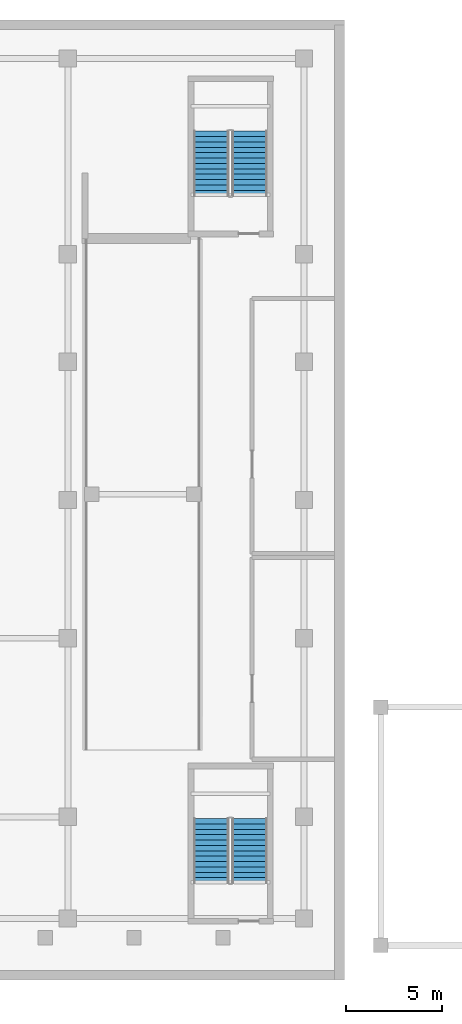
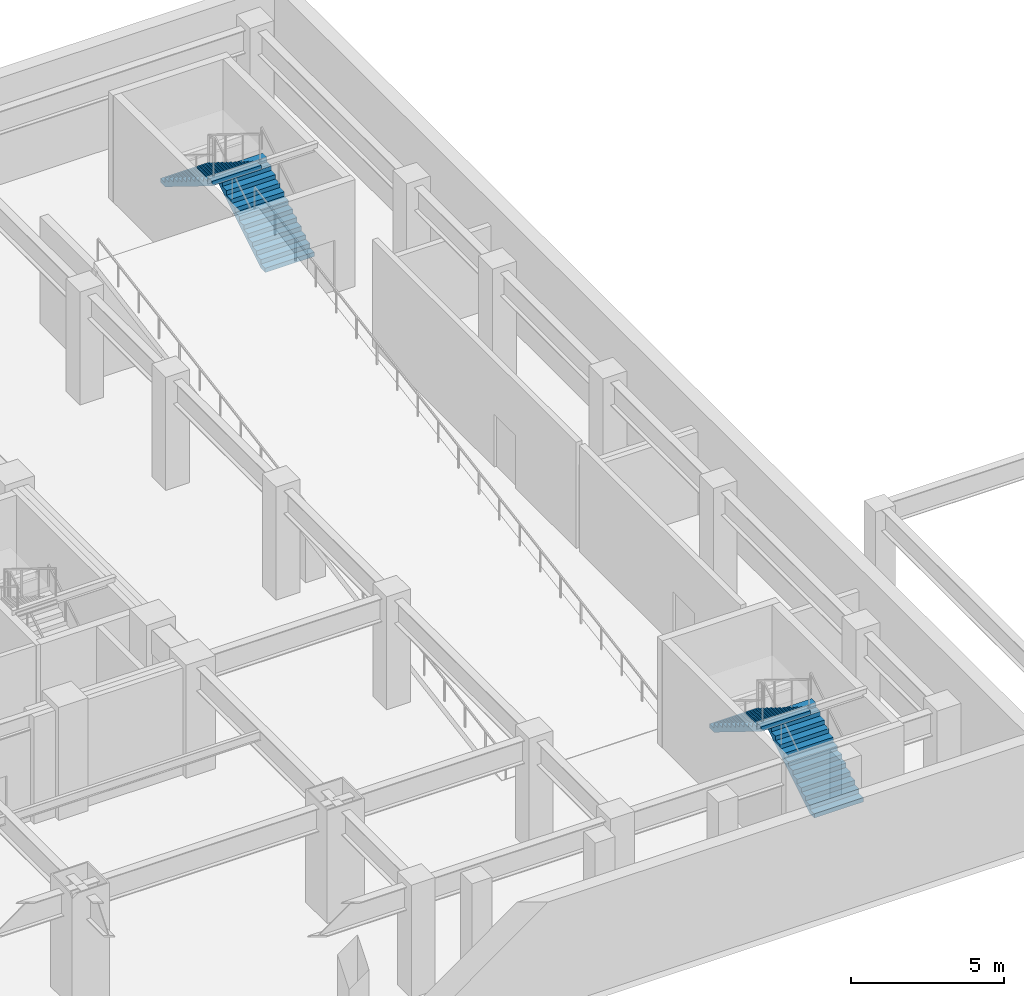
# One storey, part 6 of 12: 4 stair flights, 2 elements without a shape of their own.
"""IFC4 building model written with IfcOpenShell, lengths in metres."""

from ifc_helpers import new_model, si_unit, direction, frame, origin, place, context, subcontext, project, spatial, polyline, outline, extrude, material, type_object, element, aggregate, save


model = new_model("IFC4")

# Units and contexts
model_context = context("Model", 3, precision=1e-05, world=origin(), true_north=direction((0.0, 1.0)))
body_context = subcontext(model_context, "Body", "Model", "MODEL_VIEW")
ifc_project = project(units=[si_unit("LENGTHUNIT", "METRE"), si_unit("AREAUNIT", "SQUARE_METRE"), si_unit("VOLUMEUNIT", "CUBIC_METRE"), si_unit("PLANEANGLEUNIT", "RADIAN"), si_unit("MASSUNIT", "GRAM", prefix="KILO")], contexts=[model_context])

# Site, building, storey
site_placement = place(None, origin())
site = spatial("IfcSite", under=ifc_project, at=site_placement, CompositionType="ELEMENT")
building_placement = place(site_placement, origin())
building = spatial("IfcBuilding", under=site, at=building_placement, Name="Vantalir Tower", CompositionType="ELEMENT")
storey_placement = place(building_placement, frame((0.0, 0.0, -4.5)))
storey = spatial("IfcBuildingStorey", under=building, at=storey_placement, Name="B01", CompositionType="ELEMENT", Elevation=-4.5)

# Stair, stair flights
ifc_material = material(Name="Concrete C40/50", Category="concrete")
stair_type = type_object("IfcStairType", Name="STR-POD-1550", PredefinedType="HALF_TURN_STAIR", material=ifc_material)
stair_1_placement = place(storey_placement, origin())
stair_1 = element("IfcStair", 1, at=stair_1_placement, inside=storey, type_object=stair_type, Name="B01 Podium Exit Stair 2", PredefinedType="HALF_TURN_STAIR")
stair_flight_type = type_object("IfcStairFlightType", Name="FLT-POD-1550", PredefinedType="STRAIGHT", material=ifc_material)
stair_flight_1_placement = place(storey_placement, frame((58.074951171875, 40.85009765625, 0.0), z_axis=(0.0, 0.0, 1.0), x_axis=(0.0, 1.0, 0.0)))
stair_flight_1 = element("IfcStairFlight", 2, at=stair_flight_1_placement, type_object=stair_flight_type, Name="PST2 flight 1", NumberOfRisers=13, NumberOfTreads=12, PredefinedType="STRAIGHT", RiserHeight=0.173076923, TreadLength=0.28, context=body_context, shape_type="SweptSolid", body=[
    extrude(outline(polyline([(0.0, 0.0), (0.0, 0.173095703125), (0.280029296875, 0.173095703125), (0.280029296875, 0.34619140625), (0.56005859375, 0.34619140625), (0.56005859375, 0.519287109375), (0.840087890625, 0.519287109375), (0.840087890625, 0.6923828125), (1.1201171875, 0.6923828125), (1.1201171875, 0.865478515625), (1.39990234375, 0.865478515625), (1.39990234375, 1.03857421875), (1.679931640625, 1.03857421875), (1.679931640625, 1.21142578125), (1.9599609375, 1.21142578125), (1.9599609375, 1.384521484375), (2.239990234375, 1.384521484375), (2.239990234375, 1.5576171875), (2.52001953125, 1.5576171875), (2.52001953125, 1.730712890625), (2.800048828125, 1.730712890625), (2.800048828125, 1.90380859375), (3.080078125, 1.90380859375), (3.080078125, 2.076904296875), (3.360107421875, 2.076904296875), (3.360107421875, 2.25), (3.360107421875, 1.900634765625), (0.28515625, 0.0), (0.0, 0.0)])), frame((0.0, 0.925048828125, 0.0), z_axis=(0.0, -1.0, 0.0), x_axis=(1.0, 0.0, 0.0)), (0.0, 0.0, 1.0), 1.85009765625),
])
stair_flight_2_placement = place(storey_placement, frame((56.074951171875, 44.2099609375, 2.25), z_axis=(0.0, 0.0, 1.0), x_axis=(0.0, -1.0, 0.0)))
stair_flight_2 = element("IfcStairFlight", 3, at=stair_flight_2_placement, type_object=stair_flight_type, Name="PST2 flight 2", NumberOfRisers=13, NumberOfTreads=12, PredefinedType="STRAIGHT", RiserHeight=0.173076923, TreadLength=0.28, context=body_context, shape_type="SweptSolid", body=[
    extrude(outline(polyline([(0.0, 0.0), (0.0, 0.173095703125), (0.280029296875, 0.173095703125), (0.280029296875, 0.34619140625), (0.56005859375, 0.34619140625), (0.56005859375, 0.519287109375), (0.840087890625, 0.519287109375), (0.840087890625, 0.6923828125), (1.1201171875, 0.6923828125), (1.1201171875, 0.865478515625), (1.39990234375, 0.865478515625), (1.39990234375, 1.03857421875), (1.679931640625, 1.03857421875), (1.679931640625, 1.21142578125), (1.9599609375, 1.21142578125), (1.9599609375, 1.384521484375), (2.239990234375, 1.384521484375), (2.239990234375, 1.5576171875), (2.52001953125, 1.5576171875), (2.52001953125, 1.730712890625), (2.800048828125, 1.730712890625), (2.800048828125, 1.90380859375), (3.080078125, 1.90380859375), (3.080078125, 2.076904296875), (3.360107421875, 2.076904296875), (3.360107421875, 2.25), (3.360107421875, 1.900634765625), (0.28515625, 0.0), (0.0, 0.0)])), frame((0.0, 0.925048828125, 0.0), z_axis=(0.0, -1.0, 0.0), x_axis=(1.0, 0.0, 0.0)), (0.0, 0.0, 1.0), 1.85009765625),
])
aggregate(stair_1, [stair_flight_1, stair_flight_2])

stair_2_placement = place(storey_placement, origin())
stair_2 = element("IfcStair", 4, at=stair_2_placement, inside=storey, type_object=stair_type, Name="B01 Podium Exit Stair 4", PredefinedType="HALF_TURN_STAIR")
stair_flight_3_placement = place(storey_placement, frame((58.074951171875, 5.050048828125, 0.0), z_axis=(0.0, 0.0, 1.0), x_axis=(0.0, 1.0, 0.0)))
stair_flight_3 = element("IfcStairFlight", 5, at=stair_flight_3_placement, type_object=stair_flight_type, Name="PST4 flight 1", NumberOfRisers=13, NumberOfTreads=12, PredefinedType="STRAIGHT", RiserHeight=0.173076923, TreadLength=0.28, context=body_context, shape_type="SweptSolid", body=[
    extrude(outline(polyline([(0.0, 0.0), (0.0, 0.173095703125), (0.280029296875, 0.173095703125), (0.280029296875, 0.34619140625), (0.56005859375, 0.34619140625), (0.56005859375, 0.519287109375), (0.840087890625, 0.519287109375), (0.840087890625, 0.6923828125), (1.1201171875, 0.6923828125), (1.1201171875, 0.865478515625), (1.39990234375, 0.865478515625), (1.39990234375, 1.03857421875), (1.679931640625, 1.03857421875), (1.679931640625, 1.21142578125), (1.9599609375, 1.21142578125), (1.9599609375, 1.384521484375), (2.239990234375, 1.384521484375), (2.239990234375, 1.5576171875), (2.52001953125, 1.5576171875), (2.52001953125, 1.730712890625), (2.800048828125, 1.730712890625), (2.800048828125, 1.90380859375), (3.080078125, 1.90380859375), (3.080078125, 2.076904296875), (3.360107421875, 2.076904296875), (3.360107421875, 2.25), (3.360107421875, 1.900634765625), (0.28515625, 0.0), (0.0, 0.0)])), frame((0.0, 0.925048828125, 0.0), z_axis=(0.0, -1.0, 0.0), x_axis=(1.0, 0.0, 0.0)), (0.0, 0.0, 1.0), 1.85009765625),
])
stair_flight_4_placement = place(storey_placement, frame((56.074951171875, 8.409912109375, 2.25), z_axis=(0.0, 0.0, 1.0), x_axis=(0.0, -1.0, 0.0)))
stair_flight_4 = element("IfcStairFlight", 6, at=stair_flight_4_placement, type_object=stair_flight_type, Name="PST4 flight 2", NumberOfRisers=13, NumberOfTreads=12, PredefinedType="STRAIGHT", RiserHeight=0.173076923, TreadLength=0.28, context=body_context, shape_type="SweptSolid", body=[
    extrude(outline(polyline([(0.0, 0.0), (0.0, 0.173095703125), (0.280029296875, 0.173095703125), (0.280029296875, 0.34619140625), (0.56005859375, 0.34619140625), (0.56005859375, 0.519287109375), (0.840087890625, 0.519287109375), (0.840087890625, 0.6923828125), (1.1201171875, 0.6923828125), (1.1201171875, 0.865478515625), (1.39990234375, 0.865478515625), (1.39990234375, 1.03857421875), (1.679931640625, 1.03857421875), (1.679931640625, 1.21142578125), (1.9599609375, 1.21142578125), (1.9599609375, 1.384521484375), (2.239990234375, 1.384521484375), (2.239990234375, 1.5576171875), (2.52001953125, 1.5576171875), (2.52001953125, 1.730712890625), (2.800048828125, 1.730712890625), (2.800048828125, 1.90380859375), (3.080078125, 1.90380859375), (3.080078125, 2.076904296875), (3.360107421875, 2.076904296875), (3.360107421875, 2.25), (3.360107421875, 1.900634765625), (0.28515625, 0.0), (0.0, 0.0)])), frame((0.0, 0.925048828125, 0.0), z_axis=(0.0, -1.0, 0.0), x_axis=(1.0, 0.0, 0.0)), (0.0, 0.0, 1.0), 1.85009765625),
])
aggregate(stair_2, [stair_flight_3, stair_flight_4])

save(model, "model.ifc")
